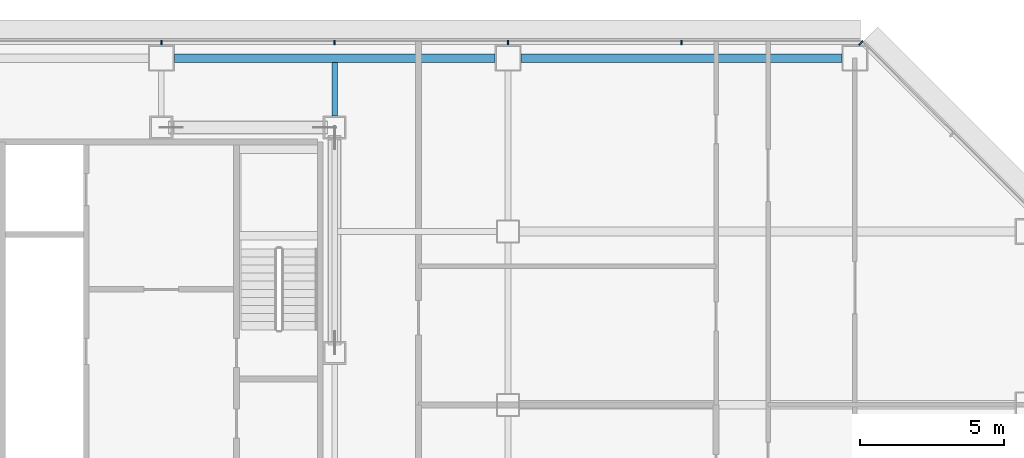
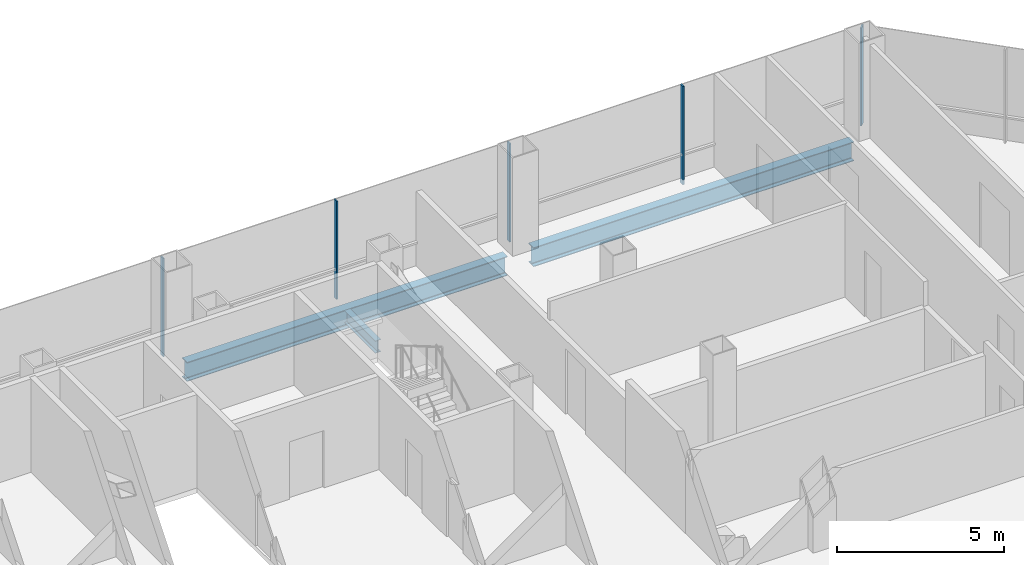
# One storey, part 15 of 27: 5 members, 3 beams, 2 elements without a shape of their own.
"""IFC4 building model written with IfcOpenShell, lengths in metres."""

from ifc_helpers import new_model, si_unit, direction, frame, origin, origin_2d, place, context, subcontext, project, spatial, rectangle, i_section, extrude, material, material_profile, profile_set, type_object, element, aggregate, save


model = new_model("IFC4")

# Units and contexts
model_context = context("Model", 3, precision=1e-05, world=origin(), true_north=direction((0.0, 1.0)))
body_context = subcontext(model_context, "Body", "Model", "MODEL_VIEW")
ifc_project = project(units=[si_unit("LENGTHUNIT", "METRE"), si_unit("AREAUNIT", "SQUARE_METRE"), si_unit("VOLUMEUNIT", "CUBIC_METRE"), si_unit("PLANEANGLEUNIT", "RADIAN"), si_unit("MASSUNIT", "GRAM", prefix="KILO")], contexts=[model_context])

# Site, building, storey
site_placement = place(None, origin())
site = spatial("IfcSite", under=ifc_project, at=site_placement, CompositionType="ELEMENT")
building_placement = place(site_placement, origin())
building = spatial("IfcBuilding", under=site, at=building_placement, Name="Sorahane Residences", CompositionType="ELEMENT")
storey_placement = place(building_placement, frame((0.0, 0.0, 75.0)))
storey = spatial("IfcBuildingStorey", under=building, at=storey_placement, Name="L15", CompositionType="ELEMENT", Elevation=75.0)

# Curtain wall, members
ifc_material_1 = material(Name="Dark low-e glass and black anodised aluminium", Category="aluminium")
curtain_wall_type_1 = type_object("IfcCurtainWallType", Name="Curtain wall CW-1 Typical unitised wall", PredefinedType="NOTDEFINED", material=ifc_material_1)
curtain_wall_1_placement = place(storey_placement, origin())
curtain_wall_1 = element("IfcCurtainWall", 1, at=curtain_wall_1_placement, inside=storey, type_object=curtain_wall_type_1, Name="CW-1 curtain wall L15 N1", PredefinedType="NOTDEFINED")
ifc_material_2 = material(Name="Black anodised aluminium", Category="aluminium")
ifc_material_profile_1 = material_profile(ifc_material_2, rectangle(XDim=0.159912109375, YDim=0.050048828125, at=origin_2d()), Name="Curtain wall mullion CW-1 black anodised aluminium 50x160")
ifc_profile_set_1 = profile_set([ifc_material_profile_1], Name="Black anodised aluminium")
member_type_1 = type_object("IfcMemberType", Name="Curtain wall mullion CW-1 black anodised aluminium 50x160", PredefinedType="MULLION", material=ifc_profile_set_1)
member_1_placement = place(storey_placement, frame((54.0, 48.5400390625, -0.179931640625), z_axis=(0.0, 0.0, 1.0), x_axis=(0.0, 1.0, 0.0)))
member_1 = element("IfcMember", 2, at=member_1_placement, type_object=member_type_1, Name="CW-1 mullion L15 N1.2", PredefinedType="MULLION", context=body_context, shape_type="SweptSolid", body=[
    extrude(rectangle(XDim=0.159912109375, YDim=0.050048828125, at=origin_2d()), origin(), (0.0, 0.0, 1.0), 3.599853515625),
])
member_2_placement = place(storey_placement, frame((48.0, 48.5400390625, -0.179931640625), z_axis=(0.0, 0.0, 1.0), x_axis=(0.0, 1.0, 0.0)))
member_2 = element("IfcMember", 3, at=member_2_placement, type_object=member_type_1, Name="CW-1 mullion L15 N1.3", PredefinedType="MULLION", context=body_context, shape_type="SweptSolid", body=[
    extrude(rectangle(XDim=0.159912109375, YDim=0.050048828125, at=origin_2d()), origin(), (0.0, 0.0, 1.0), 3.599853515625),
])
member_3_placement = place(storey_placement, frame((42.0, 48.5400390625, -0.179931640625), z_axis=(0.0, 0.0, 1.0), x_axis=(0.0, 1.0, 0.0)))
member_3 = element("IfcMember", 4, at=member_3_placement, type_object=member_type_1, Name="CW-1 mullion L15 N1.4", PredefinedType="MULLION", context=body_context, shape_type="SweptSolid", body=[
    extrude(rectangle(XDim=0.159912109375, YDim=0.050048828125, at=origin_2d()), origin(), (0.0, 0.0, 1.0), 3.599853515625),
])
member_4_placement = place(storey_placement, frame((36.0, 48.5400390625, -0.179931640625), z_axis=(0.0, 0.0, 1.0), x_axis=(0.0, 1.0, 0.0)))
member_4 = element("IfcMember", 5, at=member_4_placement, type_object=member_type_1, Name="CW-1 mullion L15 N1.5", PredefinedType="MULLION", context=body_context, shape_type="SweptSolid", body=[
    extrude(rectangle(XDim=0.159912109375, YDim=0.050048828125, at=origin_2d()), origin(), (0.0, 0.0, 1.0), 3.599853515625),
])
aggregate(curtain_wall_1, [member_1, member_2, member_3, member_4])

# Curtain wall, member
ifc_material_3 = material(Name="Dark low-e glass and black anodised aluminium", Category="aluminium")
curtain_wall_type_2 = type_object("IfcCurtainWallType", Name="Curtain wall CW-2 Chamfer unitised wall", PredefinedType="NOTDEFINED", material=ifc_material_3)
curtain_wall_2_placement = place(storey_placement, origin())
curtain_wall_2 = element("IfcCurtainWall", 6, at=curtain_wall_2_placement, inside=storey, type_object=curtain_wall_type_2, Name="CW-2 curtain wall L15 NE1", PredefinedType="NOTDEFINED")
ifc_material_4 = material(Name="Black anodised aluminium", Category="aluminium")
ifc_material_profile_2 = material_profile(ifc_material_4, rectangle(XDim=0.199951171875, YDim=0.050048828125, at=origin_2d()), Name="Curtain wall mullion CW-2 black anodised aluminium 50x200")
ifc_profile_set_2 = profile_set([ifc_material_profile_2], Name="Black anodised aluminium")
member_type_2 = type_object("IfcMemberType", Name="Curtain wall mullion CW-2 black anodised aluminium 50x200", PredefinedType="MULLION", material=ifc_profile_set_2)
member_5_placement = place(storey_placement, frame((60.209716796875, 48.525634765625, -0.179931640625), z_axis=(0.0, 0.0, 1.0), x_axis=(0.707106781187, 0.707106781187, 0.0)))
member_5 = element("IfcMember", 7, at=member_5_placement, type_object=member_type_2, Name="CW-2 mullion L15 NE1.3", PredefinedType="MULLION", context=body_context, shape_type="SweptSolid", body=[
    extrude(rectangle(XDim=0.199951171875, YDim=0.050048828125, at=origin_2d()), origin(), (0.0, 0.0, 1.0), 3.599853515625),
])
aggregate(curtain_wall_2, [member_5])

# Beams
ifc_material_5 = material(Name="Steel Q355B", Category="steel")
ifc_material_profile_3 = material_profile(ifc_material_5, i_section(OverallWidth=0.199951171875, OverallDepth=0.449951171875, WebThickness=0.009033203125, FlangeThickness=0.013916015625, FilletRadius=0.02001953125, at=origin_2d()), Name="HN 450x200x9x14")
ifc_profile_set_3 = profile_set([ifc_material_profile_3], Name="Steel Q355B")
beam_type_1 = type_object("IfcBeamType", Name="Steel floor beam HN 450x200x9x14 Q355B", PredefinedType="BEAM", material=ifc_profile_set_3)
beam_placement = place(storey_placement, frame((42.0, 46.0, -0.405029296875), z_axis=(0.0, 1.0, 0.0), x_axis=(-1.0, 0.0, 0.0)))
element("IfcBeam", 8, at=beam_placement, inside=storey, type_object=beam_type_1, Name="Beam L15 050", PredefinedType="BEAM", context=body_context, shape_type="SweptSolid", body=[
    extrude(i_section(OverallWidth=0.199951171875, OverallDepth=0.449951171875, WebThickness=0.009033203125, FlangeThickness=0.013916015625, FilletRadius=0.02001953125, at=origin_2d()), origin(), (0.0, 0.0, 1.0), 1.85009765625),
])
ifc_material_6 = material(Name="Steel Q355B", Category="steel")
ifc_material_profile_4 = material_profile(ifc_material_6, i_section(OverallWidth=0.300048828125, OverallDepth=0.699951171875, WebThickness=0.012939453125, FlangeThickness=0.02392578125, FilletRadius=0.028076171875, at=origin_2d()), Name="HN 700x300x13x24")
ifc_profile_set_4 = profile_set([ifc_material_profile_4], Name="Steel Q355B")
beam_type_2 = type_object("IfcBeamType", Name="Steel floor beam HN 700x300x13x24 Q355B", PredefinedType="BEAM", material=ifc_profile_set_4)
for number, where, z_axis, x_axis, name in (
    (9, (36.449951171875, 48.0, -0.530029296875), (1.0, 0.0, 0.0), (0.0, 1.0, 0.0), "Beam L15 015"),
    (10, (48.449951171875, 48.0, -0.530029296875), (1.0, 0.0, 0.0), (0.0, 1.0, 0.0), "Beam L15 016"),
):
    element("IfcBeam", number, at=place(storey_placement, frame(where, z_axis=z_axis, x_axis=x_axis)), inside=storey, type_object=beam_type_2, Name=name, PredefinedType="BEAM", context=body_context, shape_type="SweptSolid", body=[
        extrude(i_section(OverallWidth=0.300048828125, OverallDepth=0.699951171875, WebThickness=0.012939453125, FlangeThickness=0.02392578125, FilletRadius=0.028076171875, at=origin_2d()), origin(), (0.0, 0.0, 1.0), 11.10009765625),
    ])

save(model, "model.ifc")
